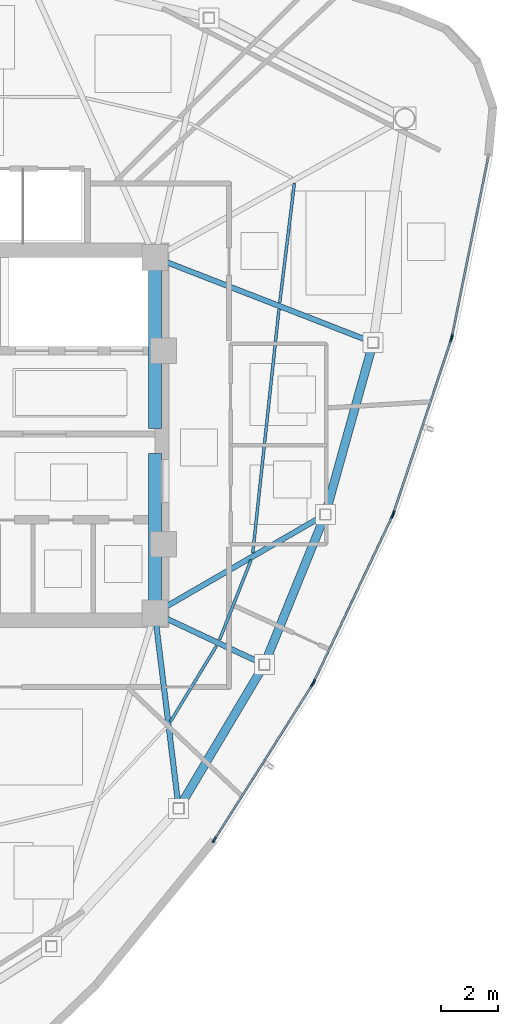
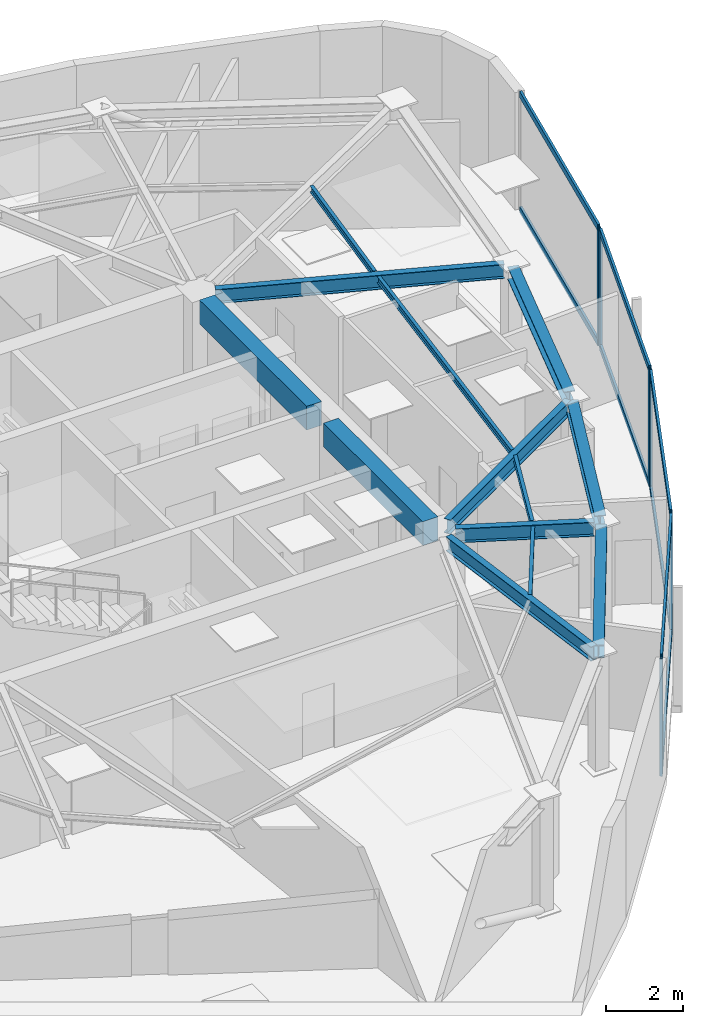
# One storey, part 4 of 13: 15 members, 13 beams, 4 elements without a shape of their own.
"""IFC4 building model written with IfcOpenShell, lengths in metres."""

from ifc_helpers import new_model, si_unit, direction, frame, origin, origin_2d, place, context, subcontext, project, spatial, rectangle, hollow_rectangle, i_section, extrude, source, transform, mapped, material, layer, layer_set, material_profile, profile_set, type_object, type_shapes, element, aggregate, save


model = new_model("IFC4")

# Units and contexts
model_context = context("Model", 3, precision=1e-05, world=origin(), true_north=direction((0.0, 1.0)))
body_context = subcontext(model_context, "Body", "Model", "MODEL_VIEW")
ifc_project = project(units=[si_unit("LENGTHUNIT", "METRE"), si_unit("AREAUNIT", "SQUARE_METRE"), si_unit("VOLUMEUNIT", "CUBIC_METRE"), si_unit("PLANEANGLEUNIT", "RADIAN"), si_unit("MASSUNIT", "GRAM", prefix="KILO")], contexts=[model_context])

# Site, building, storey
site_placement = place(None, origin())
site = spatial("IfcSite", under=ifc_project, at=site_placement, CompositionType="ELEMENT")
building_placement = place(site_placement, origin())
building = spatial("IfcBuilding", under=site, at=building_placement, Name="Tavelor Broadcast Tower", CompositionType="ELEMENT")
storey_placement = place(building_placement, frame((0.0, 0.0, 301.5)))
storey = spatial("IfcBuildingStorey", under=building, at=storey_placement, Name="L72", CompositionType="ELEMENT", Elevation=301.5)

# Beams
ifc_material_1 = material(Name="Concrete C40/50", Category="concrete")
ifc_material_profile_1 = material_profile(ifc_material_1, rectangle(XDim=0.449951171875, YDim=0.75, at=origin_2d()), Name="RC 450x750")
ifc_profile_set_1 = profile_set([ifc_material_profile_1], Name="Concrete C40/50")
beam_type_1 = type_object("IfcBeamType", Name="Basement Core Trim Beam 450x750", PredefinedType="BEAM", material=ifc_profile_set_1)
beam_1_placement = place(storey_placement, frame((56.60009765625, 45.23193359375, 3.324951171875), z_axis=(0.0, 1.0, 0.0), x_axis=(-1.0, 0.0, 0.0)))
element("IfcBeam", 1, at=beam_1_placement, inside=storey, type_object=beam_type_1, Name="L72 Core East-N Tie Girder", PredefinedType="BEAM", context=body_context, shape_type="SweptSolid", body=[
    extrude(rectangle(XDim=0.449951171875, YDim=0.75, at=origin_2d()), origin(), (0.0, 0.0, 1.0), 5.5361328125),
])
beam_2_placement = place(storey_placement, frame((56.60009765625, 39.23193359375, 3.324951171875), z_axis=(0.0, 1.0, 0.0), x_axis=(-1.0, 0.0, 0.0)))
element("IfcBeam", 2, at=beam_2_placement, inside=storey, type_object=beam_type_1, Name="L72 Core East-S Tie Girder", PredefinedType="BEAM", context=body_context, shape_type="SweptSolid", body=[
    extrude(rectangle(XDim=0.449951171875, YDim=0.75, at=origin_2d()), origin(), (0.0, 0.0, 1.0), 5.135986328125),
])
ifc_material_2 = material(Name="Steel S355", Category="steel")
ifc_material_profile_2 = material_profile(ifc_material_2, i_section(OverallWidth=0.10009765625, OverallDepth=0.199951171875, WebThickness=0.005615234375, FlangeThickness=0.008544921875, at=origin_2d()), Name="IPE 200")
ifc_profile_set_2 = profile_set([ifc_material_profile_2], Name="Steel S355")
beam_type_2 = type_object("IfcBeamType", Name="Composite Floor Joist T8 IPE 200", PredefinedType="JOIST", material=ifc_profile_set_2)
beam_3_placement = place(storey_placement, frame((57.139892578125, 35.011474609375, 3.60009765625), z_axis=(0.519987009808, 0.854174168206, 0.0), x_axis=(-0.854174168206, 0.519987009808, 0.0)))
element("IfcBeam", 3, at=beam_3_placement, inside=storey, type_object=beam_type_2, Name="L72 Secondary Composite Floor Joist 09", PredefinedType="JOIST", context=body_context, shape_type="SweptSolid", body=[
    extrude(i_section(OverallWidth=0.10009765625, OverallDepth=0.199951171875, WebThickness=0.005615234375, FlangeThickness=0.008544921875, at=origin_2d()), origin(), (0.0, 0.0, 1.0), 3.09326171875),
])
beam_4_placement = place(storey_placement, frame((58.85791015625, 37.87451171875, 3.60009765625), z_axis=(0.367159090803, 0.930158159692, 0.0), x_axis=(-0.930158159692, 0.367159090803, 0.0)))
element("IfcBeam", 4, at=beam_4_placement, inside=storey, type_object=beam_type_2, Name="L72 Secondary Composite Floor Joist 10", PredefinedType="JOIST", context=body_context, shape_type="SweptSolid", body=[
    extrude(i_section(OverallWidth=0.10009765625, OverallDepth=0.199951171875, WebThickness=0.005615234375, FlangeThickness=0.008544921875, at=origin_2d()), origin(), (0.0, 0.0, 1.0), 2.98681640625),
])
beam_5_placement = place(storey_placement, frame((60.01318359375, 40.89111328125, 3.60009765625), z_axis=(0.107016283825, 0.994257268013, 0.0), x_axis=(-0.994257268013, 0.107016283825, 0.0)))
element("IfcBeam", 5, at=beam_5_placement, inside=storey, type_object=beam_type_2, Name="L72 Secondary Composite Floor Joist 11", PredefinedType="JOIST", context=body_context, shape_type="SweptSolid", body=[
    extrude(i_section(OverallWidth=0.10009765625, OverallDepth=0.199951171875, WebThickness=0.005615234375, FlangeThickness=0.008544921875, at=origin_2d()), origin(), (0.0, 0.0, 1.0), 8.5458984375),
])
beam_6_placement = place(storey_placement, frame((60.9560546875, 49.6337890625, 3.60009765625), z_axis=(0.121805765002, 0.992553956021, 0.0), x_axis=(-0.992553956021, 0.121805765002, 0.0)))
element("IfcBeam", 6, at=beam_6_placement, inside=storey, type_object=beam_type_2, Name="L72 Secondary Composite Floor Joist 12", PredefinedType="JOIST", context=body_context, shape_type="SweptSolid", body=[
    extrude(i_section(OverallWidth=0.10009765625, OverallDepth=0.199951171875, WebThickness=0.005615234375, FlangeThickness=0.008544921875, at=origin_2d()), origin(), (0.0, 0.0, 1.0), 4.193115234375),
])
ifc_material_profile_3 = material_profile(ifc_material_2, i_section(OverallWidth=0.300048828125, OverallDepth=0.39990234375, WebThickness=0.013427734375, FlangeThickness=0.02392578125, at=origin_2d()), Name="HEB 400")
ifc_profile_set_3 = profile_set([ifc_material_profile_3], Name="Steel S355")
beam_type_3 = type_object("IfcBeamType", Name="Perimeter Spandrel Beam T8 HEB 400", PredefinedType="SPANDREL", material=ifc_profile_set_3)
beam_7_placement = place(storey_placement, frame((57.52978515625, 32.156982421875, 3.5), z_axis=(0.511792514175, 0.859109086458, 0.0), x_axis=(-0.859109086458, 0.511792514175, 0.0)))
element("IfcBeam", 7, at=beam_7_placement, inside=storey, type_object=beam_type_3, Name="L72 Framed-Tube Ring Spandrel 09", PredefinedType="SPANDREL", context=body_context, shape_type="SweptSolid", body=[
    extrude(i_section(OverallWidth=0.300048828125, OverallDepth=0.39990234375, WebThickness=0.013427734375, FlangeThickness=0.02392578125, at=origin_2d()), origin(), (0.0, 0.0, 1.0), 5.450439453125),
])
beam_8_placement = place(storey_placement, frame((60.48974609375, 37.182373046875, 3.5), z_axis=(0.376276339412, 0.926507483186, 0.0), x_axis=(-0.926507483186, 0.376276339412, 0.0)))
element("IfcBeam", 8, at=beam_8_placement, inside=storey, type_object=beam_type_3, Name="L72 Framed-Tube Ring Spandrel 10", PredefinedType="SPANDREL", context=body_context, shape_type="SweptSolid", body=[
    extrude(i_section(OverallWidth=0.300048828125, OverallDepth=0.39990234375, WebThickness=0.013427734375, FlangeThickness=0.02392578125, at=origin_2d()), origin(), (0.0, 0.0, 1.0), 5.267333984375),
])
beam_9_placement = place(storey_placement, frame((62.59521484375, 42.425537109375, 3.5), z_axis=(0.268372403698, 0.963315240684, 0.0), x_axis=(-0.963315240684, 0.268372403698, 0.0)))
element("IfcBeam", 9, at=beam_9_placement, inside=storey, type_object=beam_type_3, Name="L72 Framed-Tube Ring Spandrel 11", PredefinedType="SPANDREL", context=body_context, shape_type="SweptSolid", body=[
    extrude(i_section(OverallWidth=0.300048828125, OverallDepth=0.39990234375, WebThickness=0.013427734375, FlangeThickness=0.02392578125, at=origin_2d()), origin(), (0.0, 0.0, 1.0), 5.84130859375),
])
ifc_material_profile_4 = material_profile(ifc_material_2, i_section(OverallWidth=0.18994140625, OverallDepth=0.449951171875, WebThickness=0.009521484375, FlangeThickness=0.0146484375, at=origin_2d()), Name="IPE 450")
ifc_profile_set_4 = profile_set([ifc_material_profile_4], Name="Steel S355")
beam_type_4 = type_object("IfcBeamType", Name="Radial Floor Girder T8 IPE 450", PredefinedType="BEAM", material=ifc_profile_set_4)
beam_10_placement = place(storey_placement, frame((56.65234375, 38.37109375, 3.47509765625), z_axis=(0.121238833005, -0.992623365316, 0.0), x_axis=(0.992623365316, 0.121238833005, 0.0)))
element("IfcBeam", 10, at=beam_10_placement, inside=storey, type_object=beam_type_4, Name="L72 Radial Primary Floor Girder 09", PredefinedType="BEAM", context=body_context, shape_type="SweptSolid", body=[
    extrude(i_section(OverallWidth=0.18994140625, OverallDepth=0.449951171875, WebThickness=0.009521484375, FlangeThickness=0.0146484375, at=origin_2d()), origin(), (0.0, 0.0, 1.0), 6.234375),
])
beam_11_placement = place(storey_placement, frame((56.990966796875, 38.6162109375, 3.47509765625), z_axis=(0.904900260626, -0.425623681578, 0.0), x_axis=(0.425623681578, 0.904900260626, 0.0)))
element("IfcBeam", 11, at=beam_11_placement, inside=storey, type_object=beam_type_4, Name="L72 Radial Primary Floor Girder 10", PredefinedType="BEAM", context=body_context, shape_type="SweptSolid", body=[
    extrude(i_section(OverallWidth=0.18994140625, OverallDepth=0.449951171875, WebThickness=0.009521484375, FlangeThickness=0.0146484375, at=origin_2d()), origin(), (0.0, 0.0, 1.0), 3.5947265625),
])
beam_12_placement = place(storey_placement, frame((56.973876953125, 39.016357421875, 3.47509765625), z_axis=(0.865467330789, 0.500965367402, 0.0), x_axis=(-0.500965367402, 0.865467330789, 0.0)))
element("IfcBeam", 12, at=beam_12_placement, inside=storey, type_object=beam_type_4, Name="L72 Radial Primary Floor Girder 11", PredefinedType="BEAM", context=body_context, shape_type="SweptSolid", body=[
    extrude(i_section(OverallWidth=0.18994140625, OverallDepth=0.449951171875, WebThickness=0.009521484375, FlangeThickness=0.0146484375, at=origin_2d()), origin(), (0.0, 0.0, 1.0), 6.243896484375),
])
beam_13_placement = place(storey_placement, frame((57.002685546875, 51.04345703125, 3.47509765625), z_axis=(0.931931795654, -0.362633600552, 0.0), x_axis=(0.362633600552, 0.931931795654, 0.0)))
element("IfcBeam", 13, at=beam_13_placement, inside=storey, type_object=beam_type_4, Name="L72 Radial Primary Floor Girder 12", PredefinedType="BEAM", context=body_context, shape_type="SweptSolid", body=[
    extrude(i_section(OverallWidth=0.18994140625, OverallDepth=0.449951171875, WebThickness=0.009521484375, FlangeThickness=0.0146484375, at=origin_2d()), origin(), (0.0, 0.0, 1.0), 7.54638671875),
])

# Curtain wall, members
ifc_material_3 = material(Name="Architectural Anodized Aluminium", Category="aluminium")
ifc_layer = layer(ifc_material_3, 0.199951171875)
ifc_layer_set = layer_set([ifc_layer], Name="Architectural Anodized Aluminium")
curtain_wall_type = type_object("IfcCurtainWallType", Name="Tower High-Zone Triple-Glazed Curtain Wall CW04", PredefinedType="NOTDEFINED", material=ifc_layer_set)
curtain_wall_1_placement = place(storey_placement, origin())
curtain_wall_1 = element("IfcCurtainWall", 14, at=curtain_wall_1_placement, inside=storey, type_object=curtain_wall_type, Name="L72 Curtain Wall CW04 Run 797", PredefinedType="NOTDEFINED")
ifc_material_profile_5 = material_profile(ifc_material_3, hollow_rectangle(XDim=0.070068359375, YDim=0.199951171875, WallThickness=0.02197265625, at=origin_2d()), Name="RHS 70x200x22")
ifc_profile_set_5 = profile_set([ifc_material_profile_5], Name="Architectural Anodized Aluminium")
member_type_1 = type_object("IfcMemberType", Name="CW04 Extruded Aluminium Mullion 70x200", PredefinedType="MULLION", material=ifc_profile_set_5)
shared_shape_1 = source(origin(), body_context, "Body", "SweptSolid", [
    extrude(hollow_rectangle(XDim=0.070068359375, YDim=0.199951171875, WallThickness=0.02197265625, at=origin_2d()), origin(), (0.0, 0.0, 1.0), 3.699951171875),
])
type_shapes(member_type_1, [shared_shape_1])
member_1_placement = place(storey_placement, frame((58.672607421875, 30.89208984375, 0.0), z_axis=(0.0, 0.0, 1.0), x_axis=(-0.845492935264, 0.533986606966, 0.0)))
member_1 = element("IfcMember", 15, at=member_1_placement, type_object=member_type_1, Name="CW04 mullion 1", PredefinedType="MULLION", context=body_context, shape_type="MappedRepresentation", body=[
    mapped(shared_shape_1, transform((0.0, 0.0, 0.0), scale=1.0)),
])
member_2_placement = place(storey_placement, frame((62.0966796875, 36.313720703125, 0.0), z_axis=(0.0, 0.0, 1.0), x_axis=(-0.845492935264, 0.533986606966, 0.0)))
member_2 = element("IfcMember", 16, at=member_2_placement, type_object=member_type_1, Name="CW04 mullion 2", PredefinedType="MULLION", context=body_context, shape_type="MappedRepresentation", body=[
    mapped(shared_shape_1, transform((0.0, 0.0, 0.0), scale=1.0)),
])

curtain_wall_2_placement = place(storey_placement, origin())
curtain_wall_2 = element("IfcCurtainWall", 17, at=curtain_wall_2_placement, inside=storey, type_object=curtain_wall_type, Name="L72 Curtain Wall CW04 Run 798", PredefinedType="NOTDEFINED")
member_3_placement = place(storey_placement, frame((62.144775390625, 36.401123046875, 0.0), z_axis=(0.0, 0.0, 1.0), x_axis=(-0.903897407436, 0.427749315406, 0.0)))
member_3 = element("IfcMember", 18, at=member_3_placement, type_object=member_type_1, Name="CW04 mullion 1", PredefinedType="MULLION", context=body_context, shape_type="MappedRepresentation", body=[
    mapped(shared_shape_1, transform((0.0, 0.0, 0.0), scale=1.0)),
])
member_4_placement = place(storey_placement, frame((64.881103515625, 42.18359375, 0.0), z_axis=(0.0, 0.0, 1.0), x_axis=(-0.903897407436, 0.427749315406, 0.0)))
member_4 = element("IfcMember", 19, at=member_4_placement, type_object=member_type_1, Name="CW04 mullion 2", PredefinedType="MULLION", context=body_context, shape_type="MappedRepresentation", body=[
    mapped(shared_shape_1, transform((0.0, 0.0, 0.0), scale=1.0)),
])

curtain_wall_3_placement = place(storey_placement, origin())
curtain_wall_3 = element("IfcCurtainWall", 20, at=curtain_wall_3_placement, inside=storey, type_object=curtain_wall_type, Name="L72 Curtain Wall CW04 Run 799", PredefinedType="NOTDEFINED")
member_5_placement = place(storey_placement, frame((64.918212890625, 42.276123046875, 0.0), z_axis=(0.0, 0.0, 1.0), x_axis=(-0.949019839257, 0.315216345859, 0.0)))
member_5 = element("IfcMember", 21, at=member_5_placement, type_object=member_type_1, Name="CW04 mullion 1", PredefinedType="MULLION", context=body_context, shape_type="MappedRepresentation", body=[
    mapped(shared_shape_1, transform((0.0, 0.0, 0.0), scale=1.0)),
])
member_6_placement = place(storey_placement, frame((66.934814453125, 48.347412109375, 0.0), z_axis=(0.0, 0.0, 1.0), x_axis=(-0.949019839257, 0.315216345859, 0.0)))
member_6 = element("IfcMember", 22, at=member_6_placement, type_object=member_type_1, Name="CW04 mullion 2", PredefinedType="MULLION", context=body_context, shape_type="MappedRepresentation", body=[
    mapped(shared_shape_1, transform((0.0, 0.0, 0.0), scale=1.0)),
])

# Curtain wall, member
curtain_wall_4_placement = place(storey_placement, origin())
curtain_wall_4 = element("IfcCurtainWall", 23, at=curtain_wall_4_placement, inside=storey, type_object=curtain_wall_type, Name="L72 Curtain Wall CW04 Run 800", PredefinedType="NOTDEFINED")
member_7_placement = place(storey_placement, frame((66.96044921875, 48.44384765625, 0.0), z_axis=(0.0, 0.0, 1.0), x_axis=(-0.980187766504, 0.198070549038, 0.0)))
member_7 = element("IfcMember", 24, at=member_7_placement, type_object=member_type_1, Name="CW04 mullion 1", PredefinedType="MULLION", context=body_context, shape_type="MappedRepresentation", body=[
    mapped(shared_shape_1, transform((0.0, 0.0, 0.0), scale=1.0)),
])

# Member
ifc_material_profile_6 = material_profile(ifc_material_3, hollow_rectangle(XDim=0.070068359375, YDim=0.199951171875, WallThickness=0.02197265625, at=origin_2d()), Name="RHS 70x200x22")
ifc_profile_set_6 = profile_set([ifc_material_profile_6], Name="Architectural Anodized Aluminium")
member_type_2 = type_object("IfcMemberType", Name="CW04 Extruded Aluminium Transom 70x200", PredefinedType="USERDEFINED", material=ifc_profile_set_6)
shared_shape_2 = source(origin(), body_context, "Body", "SweptSolid", [
    extrude(hollow_rectangle(XDim=0.070068359375, YDim=0.199951171875, WallThickness=0.02197265625, at=origin_2d()), origin(), (0.0, 0.0, 1.0), 6.3271484375),
])
member_8_placement = place(storey_placement, frame((62.15966796875, 36.432861328125, 0.034912109375), z_axis=(0.427769507876, 0.903887851523, 0.0), x_axis=(-0.903887851523, 0.427769507876, 0.0)))
member_8 = element("IfcMember", 25, at=member_8_placement, type_object=member_type_2, Name="CW04 transom 1.1", ObjectType="TRANSOM", PredefinedType="USERDEFINED", context=body_context, shape_type="MappedRepresentation", body=[
    mapped(shared_shape_2, transform((0.0, 0.0, 0.0), scale=1.0)),
])

member_9_placement = place(storey_placement, frame((62.15966796875, 36.432861328125, 3.6650390625), z_axis=(0.427769507876, 0.903887851523, 0.0), x_axis=(-0.903887851523, 0.427769507876, 0.0)))
member_9 = element("IfcMember", 26, at=member_9_placement, type_object=member_type_2, Name="CW04 transom 1.2", ObjectType="TRANSOM", PredefinedType="USERDEFINED", context=body_context, shape_type="MappedRepresentation", body=[
    mapped(shared_shape_2, transform((0.0, 0.0, 0.0), scale=1.0)),
])

aggregate(curtain_wall_2, [member_3, member_4, member_8, member_9])

shared_shape_3 = source(origin(), body_context, "Body", "SweptSolid", [
    extrude(hollow_rectangle(XDim=0.070068359375, YDim=0.199951171875, WallThickness=0.02197265625, at=origin_2d()), origin(), (0.0, 0.0, 1.0), 6.34228515625),
])
member_10_placement = place(storey_placement, frame((58.691162109375, 30.921875, 0.034912109375), z_axis=(0.53402050825, 0.845471523334, 0.0), x_axis=(-0.845471523334, 0.53402050825, 0.0)))
member_10 = element("IfcMember", 27, at=member_10_placement, type_object=member_type_2, Name="CW04 transom 1.1", ObjectType="TRANSOM", PredefinedType="USERDEFINED", context=body_context, shape_type="MappedRepresentation", body=[
    mapped(shared_shape_3, transform((0.0, 0.0, 0.0), scale=1.0)),
])

member_11_placement = place(storey_placement, frame((58.691162109375, 30.921875, 3.6650390625), z_axis=(0.53402050825, 0.845471523334, 0.0), x_axis=(-0.845471523334, 0.53402050825, 0.0)))
member_11 = element("IfcMember", 28, at=member_11_placement, type_object=member_type_2, Name="CW04 transom 1.2", ObjectType="TRANSOM", PredefinedType="USERDEFINED", context=body_context, shape_type="MappedRepresentation", body=[
    mapped(shared_shape_3, transform((0.0, 0.0, 0.0), scale=1.0)),
])

aggregate(curtain_wall_1, [member_1, member_2, member_10, member_11])

shared_shape_4 = source(origin(), body_context, "Body", "SweptSolid", [
    extrude(hollow_rectangle(XDim=0.070068359375, YDim=0.199951171875, WallThickness=0.02197265625, at=origin_2d()), origin(), (0.0, 0.0, 1.0), 6.327392578125),
])
member_12_placement = place(storey_placement, frame((64.92919921875, 42.309326171875, 0.034912109375), z_axis=(0.315232122064, 0.949014599055, 0.0), x_axis=(-0.949014599055, 0.315232122064, 0.0)))
member_12 = element("IfcMember", 29, at=member_12_placement, type_object=member_type_2, Name="CW04 transom 1.1", ObjectType="TRANSOM", PredefinedType="USERDEFINED", context=body_context, shape_type="MappedRepresentation", body=[
    mapped(shared_shape_4, transform((0.0, 0.0, 0.0), scale=1.0)),
])

member_13_placement = place(storey_placement, frame((64.92919921875, 42.309326171875, 3.6650390625), z_axis=(0.315232122064, 0.949014599055, 0.0), x_axis=(-0.949014599055, 0.315232122064, 0.0)))
member_13 = element("IfcMember", 30, at=member_13_placement, type_object=member_type_2, Name="CW04 transom 1.2", ObjectType="TRANSOM", PredefinedType="USERDEFINED", context=body_context, shape_type="MappedRepresentation", body=[
    mapped(shared_shape_4, transform((0.0, 0.0, 0.0), scale=1.0)),
])

aggregate(curtain_wall_3, [member_5, member_6, member_12, member_13])

shared_shape_5 = source(origin(), body_context, "Body", "SweptSolid", [
    extrude(hollow_rectangle(XDim=0.070068359375, YDim=0.199951171875, WallThickness=0.02197265625, at=origin_2d()), origin(), (0.0, 0.0, 1.0), 6.343017578125),
])
type_shapes(member_type_2, [shared_shape_2, shared_shape_3, shared_shape_4, shared_shape_5])
member_14_placement = place(storey_placement, frame((66.96728515625, 48.478271484375, 0.034912109375), z_axis=(0.198069856536, 0.98018790644, 0.0), x_axis=(-0.98018790644, 0.198069856536, 0.0)))
member_14 = element("IfcMember", 31, at=member_14_placement, type_object=member_type_2, Name="CW04 transom 1.1", ObjectType="TRANSOM", PredefinedType="USERDEFINED", context=body_context, shape_type="MappedRepresentation", body=[
    mapped(shared_shape_5, transform((0.0, 0.0, 0.0), scale=1.0)),
])

member_15_placement = place(storey_placement, frame((66.96728515625, 48.478271484375, 3.6650390625), z_axis=(0.198069856536, 0.98018790644, 0.0), x_axis=(-0.98018790644, 0.198069856536, 0.0)))
member_15 = element("IfcMember", 32, at=member_15_placement, type_object=member_type_2, Name="CW04 transom 1.2", ObjectType="TRANSOM", PredefinedType="USERDEFINED", context=body_context, shape_type="MappedRepresentation", body=[
    mapped(shared_shape_5, transform((0.0, 0.0, 0.0), scale=1.0)),
])

aggregate(curtain_wall_4, [member_7, member_14, member_15])

save(model, "model.ifc")
